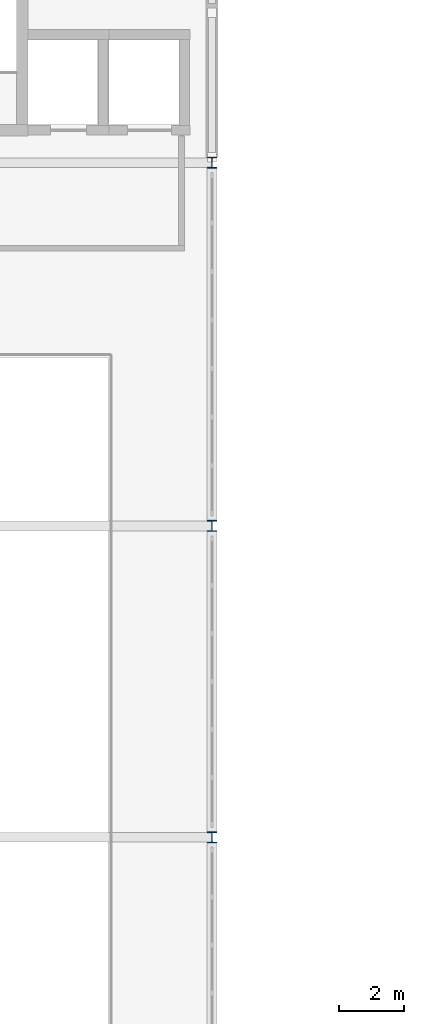
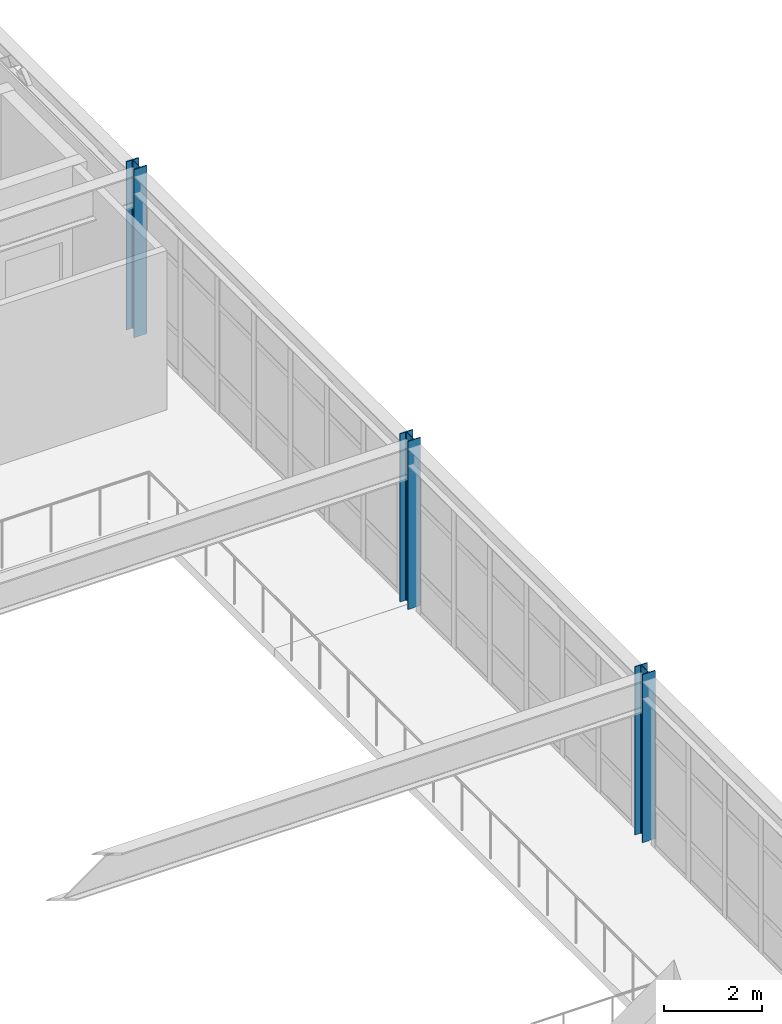
# One storey, part 9 of 76: 3 columns.
"""IFC4 building model written with IfcOpenShell, lengths in metres."""

import ifcopenshell
import ifcopenshell.guid

model = None  # the IFC model being written
_history = None  # IfcOwnerHistory: only IFC2X3 demands one
_inside = {}  # id of a spatial element -> (the spatial element, [elements in it])
_under = {}  # id of a project, library or spatial element -> (it, [spatial elements below it])
_declared = {}  # id of a project -> (the project, [libraries it declares])
_typed = {}  # id of a type object -> (the type object, [elements of that type])
_made_of = {}  # id of a material, layer set ... -> (it, [elements and type objects made of it])


def new_model(schema):
    """Start an empty IFC model of exactly this schema.

    Asked for "IFC4X3", IfcOpenShell would pick the latest addendum, in which some entities
    have other attributes; the version numbers below select the first issue.
    IFC2X3 requires an IfcOwnerHistory on every rooted entity: one is made here for all.
    """
    global model, _history
    if schema == "IFC4X3":
        model = ifcopenshell.file(schema_version=(4, 3, 0, 0))
    else:
        model = ifcopenshell.file(schema=schema)
    _inside.clear()
    _under.clear()
    _declared.clear()
    _typed.clear()
    _made_of.clear()
    _history = None
    if model.schema == "IFC2X3":
        org = make("IfcOrganization", Name="unknown")
        user = make(
            "IfcPersonAndOrganization",
            ThePerson=make("IfcPerson", FamilyName="unknown"),
            TheOrganization=org,
        )
        app = make(
            "IfcApplication",
            ApplicationDeveloper=org,
            Version="unknown",
            ApplicationFullName="unknown",
            ApplicationIdentifier="unknown",
        )
        _history = make(
            "IfcOwnerHistory",
            OwningUser=user,
            OwningApplication=app,
            ChangeAction="ADDED",
            CreationDate=0,
        )
    return model


def make(cls, **values):
    """One entity of the class cls with the attributes given. An attribute that is None is left unset."""
    return model.create_entity(
        cls, **{name: value for name, value in values.items() if value is not None}
    )


def rooted(cls, **values):
    """An entity with a GlobalId (a new one), such as an element, a storey or a relation."""
    return make(cls, GlobalId=ifcopenshell.guid.new(), OwnerHistory=_history, **values)


def si_unit(unit_type, name, prefix=None):
    """IfcSIUnit, for example si_unit("LENGTHUNIT", "METRE", prefix="MILLI")."""
    return make("IfcSIUnit", UnitType=unit_type, Prefix=prefix, Name=name)


def assignment(units):
    """IfcUnitAssignment: the units of a project."""
    return None if units is None else make("IfcUnitAssignment", Units=units)


def point(xyz):
    """IfcCartesianPoint."""
    return None if xyz is None else make("IfcCartesianPoint", Coordinates=xyz)


def direction(xyz):
    """IfcDirection."""
    return None if xyz is None else make("IfcDirection", DirectionRatios=xyz)


def frame(location, z_axis=None, x_axis=None):
    """IfcAxis2Placement3D, a coordinate frame: its origin and axes. An axis left out is left unset."""
    return make(
        "IfcAxis2Placement3D",
        Location=point(location),
        Axis=direction(z_axis),
        RefDirection=direction(x_axis),
    )


def frame_2d(location, x_axis=None):
    """IfcAxis2Placement2D, a coordinate frame in the plane: its origin and x axis."""
    return make(
        "IfcAxis2Placement2D", Location=point(location), RefDirection=direction(x_axis)
    )


def origin():
    """The frame at (0, 0, 0) with its axes left unset."""
    return frame((0.0, 0.0, 0.0))


def origin_2d():
    """The frame at (0, 0) in the plane with its x axis left unset."""
    return frame_2d((0.0, 0.0))


def place(relative_to, where):
    """IfcLocalPlacement: puts the frame where relative to a parent placement (None: the world)."""
    return make(
        "IfcLocalPlacement", PlacementRelTo=relative_to, RelativePlacement=where
    )


def context(
    kind, dimensions, precision=None, world=None, true_north=None, identifier=None
):
    """IfcGeometricRepresentationContext, for example the 3D "Model" context."""
    return make(
        "IfcGeometricRepresentationContext",
        ContextIdentifier=identifier,
        ContextType=kind,
        CoordinateSpaceDimension=dimensions,
        Precision=precision,
        WorldCoordinateSystem=world,
        TrueNorth=true_north,
    )


def subcontext(parent, identifier, kind, view, scale=None):
    """IfcGeometricRepresentationSubContext, for example "Body" below "Model"."""
    return make(
        "IfcGeometricRepresentationSubContext",
        ContextIdentifier=identifier,
        ContextType=kind,
        ParentContext=parent,
        TargetScale=scale,
        TargetView=view,
    )


def project(units=None, contexts=None):
    """IfcProject with its units and contexts."""
    return rooted(
        "IfcProject",
        Name="project",
        RepresentationContexts=contexts,
        UnitsInContext=assignment(units),
    )


def spatial(cls, under=None, at=None, **own):
    """A site, building, storey or space (cls), placed at a placement, below another one or the project."""
    s = rooted(cls, ObjectPlacement=at, **own)
    if under is not None:
        _under.setdefault(under.id(), (under, []))[1].append(s)
    return s


def profile(cls, at=None, kind="AREA", **sizes):
    """A parametric profile (cls). Its sizes go by their IFC names, for example OverallWidth=200.0."""
    return make(cls, ProfileType=kind, Position=at, **sizes)


def i_section(**sizes):
    """IfcIShapeProfileDef."""
    return profile("IfcIShapeProfileDef", **sizes)


def extrude(swept, where, along, depth):
    """IfcExtrudedAreaSolid: the profile swept, set in the frame where, extruded along a direction by depth."""
    return make(
        "IfcExtrudedAreaSolid",
        SweptArea=swept,
        Position=where,
        ExtrudedDirection=direction(along),
        Depth=depth,
    )


def shape(context_of_items, identifier, shape_type, items):
    """IfcShapeRepresentation: the items that make up one representation, for example the "Body"."""
    return make(
        "IfcShapeRepresentation",
        ContextOfItems=context_of_items,
        RepresentationIdentifier=identifier,
        RepresentationType=shape_type,
        Items=items,
    )


def material(Name=None, Category=None):
    """IfcMaterial."""
    return make("IfcMaterial", Name=Name, Category=Category)


def material_profile(
    of_material, cross_section, Name=None, Category=None, Priority=None
):
    """IfcMaterialProfile: a cross section and its material."""
    return make(
        "IfcMaterialProfile",
        Name=Name,
        Material=of_material,
        Profile=cross_section,
        Priority=Priority,
        Category=Category,
    )


def profile_set(profiles, Name=None, composite=None):
    """IfcMaterialProfileSet."""
    return make(
        "IfcMaterialProfileSet",
        Name=Name,
        MaterialProfiles=profiles,
        CompositeProfile=composite,
    )


def made_of(thing, what):
    """Note that an element or type object is made of a material, layer set ...; save() writes the relation."""
    if what is not None:
        _made_of.setdefault(what.id(), (what, []))[1].append(thing)
    return thing


def type_object(cls, material=None, **own):
    """A type object (cls), such as IfcWallType, which elements share."""
    return made_of(rooted(cls, **own), material)


def element(
    cls,
    number,
    at=None,
    inside=None,
    cuts=None,
    type_object=None,
    material=None,
    context=None,
    identifier="Body",
    shape_type=None,
    held_by="IfcProductDefinitionShape",
    body=None,
    shapes=None,
    **own,
):
    """One element of the class cls, such as IfcWall. Its Tag is "e" and its number.

    at: its placement. inside: the storey or other place that contains it. cuts: it is an
    opening in that element (IfcRelVoidsElement). A single representation is given by context,
    identifier, shape_type and body (its items); several are given by shapes. held_by: the class
    of the entity that holds the representations. save() writes the other relations.
    """
    e = rooted(cls, Tag="e%d" % number, ObjectPlacement=at, **own)
    if body is not None:
        shapes = [shape(context, identifier, shape_type, body)]
    if shapes is not None:
        e.Representation = make(held_by, Representations=shapes)
    if inside is not None:
        _inside.setdefault(inside.id(), (inside, []))[1].append(e)
    if cuts is not None:
        rooted(
            "IfcRelVoidsElement", RelatingBuildingElement=cuts, RelatedOpeningElement=e
        )
    if type_object is not None:
        _typed.setdefault(type_object.id(), (type_object, []))[1].append(e)
    return made_of(e, material)


def aggregate(whole, parts):
    """IfcRelAggregates: a whole, such as a stair, and the parts it consists of."""
    return rooted("IfcRelAggregates", RelatingObject=whole, RelatedObjects=parts)


def save(model, path):
    """Write the relations noted so far, then the file.

    IfcRelAggregates (storeys below a building ...), IfcRelContainedInSpatialStructure (elements
    in a storey), IfcRelDefinesByType, IfcRelAssociatesMaterial and IfcRelDeclares: one each for
    every whole, place, type object, material and project.
    """
    for whole, parts in _under.values():
        aggregate(whole, parts)
    for where, things in _inside.values():
        rooted(
            "IfcRelContainedInSpatialStructure",
            RelatedElements=things,
            RelatingStructure=where,
        )
    for kind, things in _typed.values():
        rooted("IfcRelDefinesByType", RelatedObjects=things, RelatingType=kind)
    for what, things in _made_of.values():
        rooted("IfcRelAssociatesMaterial", RelatedObjects=things, RelatingMaterial=what)
    for by, libraries in _declared.values():
        rooted("IfcRelDeclares", RelatingContext=by, RelatedDefinitions=libraries)
    model.write(path)


model = new_model("IFC4")

# Units and contexts
model_context = context("Model", 3, precision=1e-05, world=origin(), true_north=direction((0.0, 1.0)))
body_context = subcontext(model_context, "Body", "Model", "MODEL_VIEW")
ifc_project = project(units=[si_unit("LENGTHUNIT", "METRE"), si_unit("AREAUNIT", "SQUARE_METRE"), si_unit("VOLUMEUNIT", "CUBIC_METRE"), si_unit("PLANEANGLEUNIT", "RADIAN"), si_unit("MASSUNIT", "GRAM", prefix="KILO")], contexts=[model_context])

# Site, building, storey
site_placement = place(None, origin())
site = spatial("IfcSite", under=ifc_project, at=site_placement, CompositionType="ELEMENT")
building_placement = place(site_placement, origin())
building = spatial("IfcBuilding", under=site, at=building_placement, Name="Nordkorset Police Headquarters", CompositionType="ELEMENT")
storey_placement = place(building_placement, frame((0.0, 0.0, 13.64990234375)))
storey = spatial("IfcBuildingStorey", under=building, at=storey_placement, Name="L03", CompositionType="ELEMENT", Elevation=13.64990234375)

# Columns
ifc_material = material(Name="Steel S355J2", Category="steel")
ifc_material_profile = material_profile(ifc_material, i_section(OverallWidth=0.300048828125, OverallDepth=0.340087890625, WebThickness=0.011962890625, FlangeThickness=0.021484375, FilletRadius=0.027099609375, at=origin_2d()), Name="HEB 340")
ifc_profile_set = profile_set([ifc_material_profile], Name="Steel S355J2")
column_type = type_object("IfcColumnType", Name="Col_HEB_340", PredefinedType="COLUMN", material=ifc_profile_set)
for number, where, z_axis, x_axis, name in (
    (1, (115.199951171875, 67.199951171875, 0.0), (0.0, 0.0, 1.0), (1.0, 0.0, 0.0), "Structural Column V5_X2_2 L03"),
    (2, (115.199951171875, 76.800048828125, 0.0), (0.0, 0.0, 1.0), (1.0, 0.0, 0.0), "Structural Column V5_X2_3 L03"),
    (3, (115.199951171875, 88.0, 0.0), (0.0, 0.0, 1.0), (1.0, 0.0, 0.0), "Structural Column V5_X2_4 L03"),
):
    element("IfcColumn", number, at=place(storey_placement, frame(where, z_axis=z_axis, x_axis=x_axis)), inside=storey, type_object=column_type, Name=name, PredefinedType="COLUMN", context=body_context, shape_type="SweptSolid", body=[
        extrude(i_section(OverallWidth=0.300048828125, OverallDepth=0.340087890625, WebThickness=0.011962890625, FlangeThickness=0.021484375, FilletRadius=0.027099609375, at=origin_2d()), origin(), (0.0, 0.0, 1.0), 4.2001953125),
    ])

save(model, "model.ifc")
